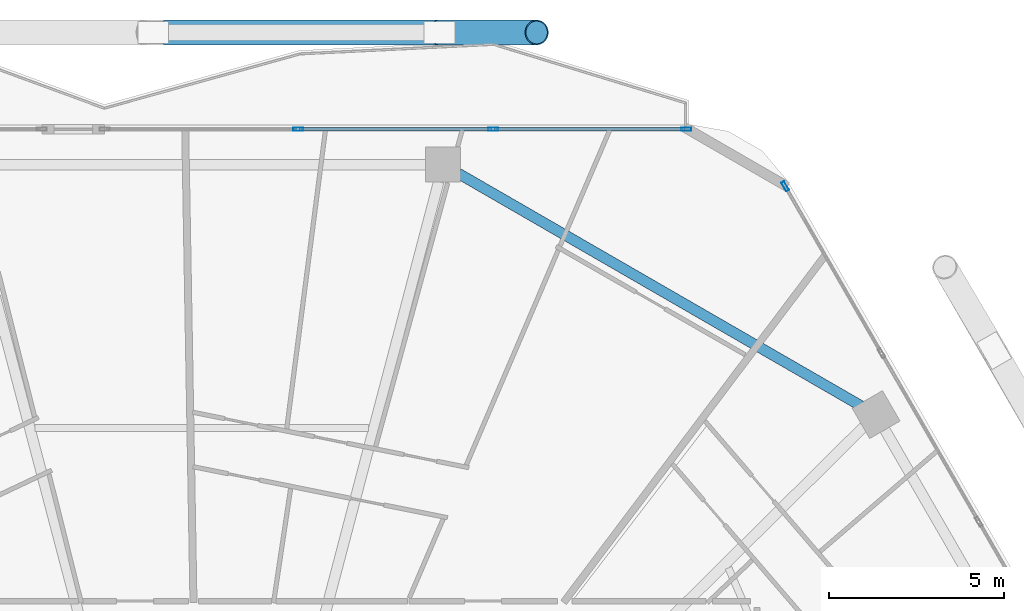
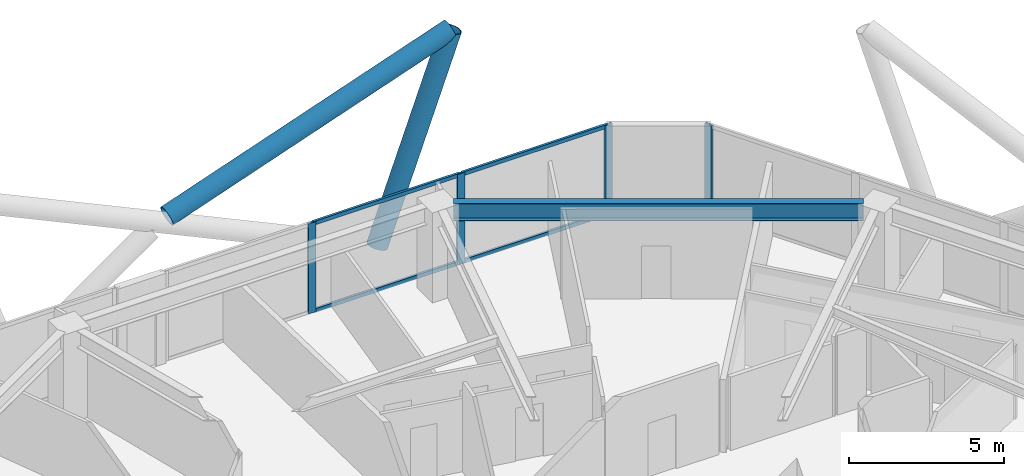
# One storey, part 18 of 29: 10 members, 1 beam, 2 elements without a shape of their own.
"""IFC4 building model written with IfcOpenShell, lengths in metres."""

from ifc_helpers import new_model, si_unit, direction, frame, origin, origin_2d, place, context, subcontext, project, spatial, hollow_rectangle, hollow_circle, i_section, extrude, material, material_profile, profile_set, type_object, element, aggregate, save


model = new_model("IFC4")

# Units and contexts
model_context = context("Model", 3, precision=1e-05, world=origin(), true_north=direction((0.0, 1.0)))
body_context = subcontext(model_context, "Body", "Model", "MODEL_VIEW")
ifc_project = project(units=[si_unit("LENGTHUNIT", "METRE"), si_unit("AREAUNIT", "SQUARE_METRE"), si_unit("VOLUMEUNIT", "CUBIC_METRE"), si_unit("PLANEANGLEUNIT", "RADIAN"), si_unit("MASSUNIT", "GRAM", prefix="KILO")], contexts=[model_context])

# Site, building, storey
site_placement = place(None, origin())
site = spatial("IfcSite", under=ifc_project, at=site_placement, CompositionType="ELEMENT")
building_placement = place(site_placement, origin())
building = spatial("IfcBuilding", under=site, at=building_placement, Name="Zuhravey Tower", CompositionType="ELEMENT")
storey_placement = place(building_placement, frame((0.0, 0.0, 184.60009765625)))
storey = spatial("IfcBuildingStorey", under=building, at=storey_placement, Name="L46", CompositionType="ELEMENT", Elevation=184.60009765625)

# Curtain wall, members
ifc_material_1 = material(Name="Thermally broken anodised aluminium", Category="aluminium")
curtain_wall_type = type_object("IfcCurtainWallType", Name="Zone 1-2 Residential Curtain Wall CW3", PredefinedType="NOTDEFINED", material=ifc_material_1)
curtain_wall_1_placement = place(storey_placement, origin())
curtain_wall_1 = element("IfcCurtainWall", 1, at=curtain_wall_1_placement, inside=storey, type_object=curtain_wall_type, Name="L46 CW3 CW-L46-F2-2", PredefinedType="NOTDEFINED")
ifc_material_2 = material(Name="Anodised aluminium", Category="aluminium")
ifc_material_profile_1 = material_profile(ifc_material_2, hollow_rectangle(XDim=0.090087890625, YDim=0.284912109375, WallThickness=0.0048828125, at=origin_2d()), Name="ALU-RHS-90x285x5")
ifc_profile_set_1 = profile_set([ifc_material_profile_1], Name="Anodised aluminium")
member_type_1 = type_object("IfcMemberType", Name="Curtain-Wall Mullion 90x180", PredefinedType="MULLION", material=ifc_profile_set_1)
member_1_placement = place(storey_placement, frame((38.743408203125, 59.18310546875, 0.0), z_axis=(0.0, 0.0, 1.0), x_axis=(0.0, 1.0, 0.0)))
member_1 = element("IfcMember", 2, at=member_1_placement, type_object=member_type_1, Name="CW3 mullion 2", PredefinedType="MULLION", context=body_context, shape_type="SweptSolid", body=[
    extrude(hollow_rectangle(XDim=0.090087890625, YDim=0.284912109375, WallThickness=0.0048828125, at=origin_2d()), origin(), (0.0, 0.0, 1.0), 3.5498046875),
])
member_2_placement = place(storey_placement, frame((44.30224609375, 59.18310546875, 0.0), z_axis=(0.0, 0.0, 1.0), x_axis=(0.0, 1.0, 0.0)))
member_2 = element("IfcMember", 3, at=member_2_placement, type_object=member_type_1, Name="CW3 mullion 3", PredefinedType="MULLION", context=body_context, shape_type="SweptSolid", body=[
    extrude(hollow_rectangle(XDim=0.090087890625, YDim=0.284912109375, WallThickness=0.0048828125, at=origin_2d()), origin(), (0.0, 0.0, 1.0), 3.5498046875),
])
member_3_placement = place(storey_placement, frame((49.816162109375, 59.18310546875, 0.0), z_axis=(0.0, 0.0, 1.0), x_axis=(0.0, 1.0, 0.0)))
member_3 = element("IfcMember", 4, at=member_3_placement, type_object=member_type_1, Name="CW3 mullion 4", PredefinedType="MULLION", context=body_context, shape_type="SweptSolid", body=[
    extrude(hollow_rectangle(XDim=0.090087890625, YDim=0.284912109375, WallThickness=0.0048828125, at=origin_2d()), origin(), (0.0, 0.0, 1.0), 3.5498046875),
])

# Curtain wall, member
curtain_wall_2_placement = place(storey_placement, origin())
curtain_wall_2 = element("IfcCurtainWall", 5, at=curtain_wall_2_placement, inside=storey, type_object=curtain_wall_type, Name="L46 CW3 CW-L46-F1-1", PredefinedType="NOTDEFINED")
member_4_placement = place(storey_placement, frame((52.63330078125, 57.556640625, 0.0), z_axis=(0.0, 0.0, 1.0), x_axis=(0.866025138215, 0.500000459979, 0.0)))
member_4 = element("IfcMember", 6, at=member_4_placement, type_object=member_type_1, Name="CW3 mullion 1", PredefinedType="MULLION", context=body_context, shape_type="SweptSolid", body=[
    extrude(hollow_rectangle(XDim=0.090087890625, YDim=0.284912109375, WallThickness=0.0048828125, at=origin_2d()), origin(), (0.0, 0.0, 1.0), 3.5498046875),
])
aggregate(curtain_wall_2, [member_4])

# Member
ifc_material_profile_2 = material_profile(ifc_material_2, hollow_rectangle(XDim=0.090087890625, YDim=0.14990234375, WallThickness=0.0048828125, at=origin_2d()), Name="ALU-RHS-90x150x5")
ifc_profile_set_2 = profile_set([ifc_material_profile_2], Name="Anodised aluminium")
member_type_2 = type_object("IfcMemberType", Name="Curtain-Wall Transom 90x150", PredefinedType="USERDEFINED", material=ifc_profile_set_2)
member_5_placement = place(storey_placement, frame((38.78857421875, 59.18310546875, 0.044921875), z_axis=(1.0, 0.0, 0.0), x_axis=(0.0, 1.0, 0.0)))
member_5 = element("IfcMember", 7, at=member_5_placement, type_object=member_type_2, Name="CW3 transom 2.1", ObjectType="TRANSOM", PredefinedType="USERDEFINED", context=body_context, shape_type="SweptSolid", body=[
    extrude(hollow_rectangle(XDim=0.090087890625, YDim=0.14990234375, WallThickness=0.0048828125, at=origin_2d()), origin(), (0.0, 0.0, 1.0), 5.46875),
])

member_6_placement = place(storey_placement, frame((38.78857421875, 59.18310546875, 3.5048828125), z_axis=(1.0, 0.0, 0.0), x_axis=(0.0, 1.0, 0.0)))
member_6 = element("IfcMember", 8, at=member_6_placement, type_object=member_type_2, Name="CW3 transom 2.2", ObjectType="TRANSOM", PredefinedType="USERDEFINED", context=body_context, shape_type="SweptSolid", body=[
    extrude(hollow_rectangle(XDim=0.090087890625, YDim=0.14990234375, WallThickness=0.0048828125, at=origin_2d()), origin(), (0.0, 0.0, 1.0), 5.46875),
])

member_7_placement = place(storey_placement, frame((44.347412109375, 59.18310546875, 0.044921875), z_axis=(1.0, 0.0, 0.0), x_axis=(0.0, 1.0, 0.0)))
member_7 = element("IfcMember", 9, at=member_7_placement, type_object=member_type_2, Name="CW3 transom 3.1", ObjectType="TRANSOM", PredefinedType="USERDEFINED", context=body_context, shape_type="SweptSolid", body=[
    extrude(hollow_rectangle(XDim=0.090087890625, YDim=0.14990234375, WallThickness=0.0048828125, at=origin_2d()), origin(), (0.0, 0.0, 1.0), 5.423583984375),
])

member_8_placement = place(storey_placement, frame((44.347412109375, 59.18310546875, 3.5048828125), z_axis=(1.0, 0.0, 0.0), x_axis=(0.0, 1.0, 0.0)))
member_8 = element("IfcMember", 10, at=member_8_placement, type_object=member_type_2, Name="CW3 transom 3.2", ObjectType="TRANSOM", PredefinedType="USERDEFINED", context=body_context, shape_type="SweptSolid", body=[
    extrude(hollow_rectangle(XDim=0.090087890625, YDim=0.14990234375, WallThickness=0.0048828125, at=origin_2d()), origin(), (0.0, 0.0, 1.0), 5.423583984375),
])

aggregate(curtain_wall_1, [member_1, member_2, member_3, member_5, member_6, member_7, member_8])

# Members
ifc_material_3 = material(Name="Steel SM460", Category="steel")
ifc_material_profile_3 = material_profile(ifc_material_3, hollow_circle(Radius=0.355712890625, WallThickness=0.031982421875, at=origin_2d()), Name="CHS-711.2x32")
ifc_profile_set_3 = profile_set([ifc_material_profile_3], Name="Steel SM460")
member_type_3 = type_object("IfcMemberType", Name="Exoskeleton Zone 2 Diagrid CHS711x32", PredefinedType="BRACE", material=ifc_profile_set_3)
member_9_placement = place(storey_placement, frame((42.788330078125, 61.943115234375, -0.444091796875), z_axis=(0.342858392965, 0.0, 0.939387099323), x_axis=(0.0, 1.0, 0.0)))
element("IfcMember", 11, at=member_9_placement, inside=storey, type_object=member_type_3, Name="L46 Face 2 Diagrid Brace 1", PredefinedType="BRACE", context=body_context, shape_type="SweptSolid", body=[
    extrude(hollow_circle(Radius=0.355712890625, WallThickness=0.031982421875, at=origin_2d()), origin(), (0.0, 0.0, 1.0), 8.0478515625),
])
member_10_placement = place(storey_placement, frame((34.939453125, 61.943115234375, 3.44921875), z_axis=(0.944653568891, 0.0, 0.328069557841), x_axis=(0.0, 1.0, 0.0)))
element("IfcMember", 12, at=member_10_placement, inside=storey, type_object=member_type_3, Name="L46 Face 2 Split Diagrid Brace 3B", PredefinedType="BRACE", context=body_context, shape_type="SweptSolid", body=[
    extrude(hollow_circle(Radius=0.355712890625, WallThickness=0.031982421875, at=origin_2d()), origin(), (0.0, 0.0, 1.0), 11.190185546875),
])

# Beam
ifc_material_4 = material(Name="Steel SM355", Category="steel")
ifc_material_profile_4 = material_profile(ifc_material_4, i_section(OverallWidth=0.300048828125, OverallDepth=0.679931640625, WebThickness=0.012939453125, FlangeThickness=0.02197265625, at=origin_2d()), Name="H-680x300x13x22")
ifc_profile_set_4 = profile_set([ifc_material_profile_4], Name="Steel SM355")
beam_type = type_object("IfcBeamType", Name="Perimeter Ring Beam H680x300", PredefinedType="BEAM", material=ifc_profile_set_4)
beam_placement = place(storey_placement, frame((54.789794921875, 51.298095703125, 3.2099609375), z_axis=(-0.866022923061, 0.500004296715, 0.0), x_axis=(-0.500004296715, -0.866022923061, 0.0)))
element("IfcBeam", 13, at=beam_placement, inside=storey, type_object=beam_type, Name="L46 PB2 BM-L46-PB-02", PredefinedType="BEAM", context=body_context, shape_type="SweptSolid", body=[
    extrude(i_section(OverallWidth=0.300048828125, OverallDepth=0.679931640625, WebThickness=0.012939453125, FlangeThickness=0.02197265625, at=origin_2d()), origin(), (0.0, 0.0, 1.0), 13.2470703125),
])

save(model, "model.ifc")
